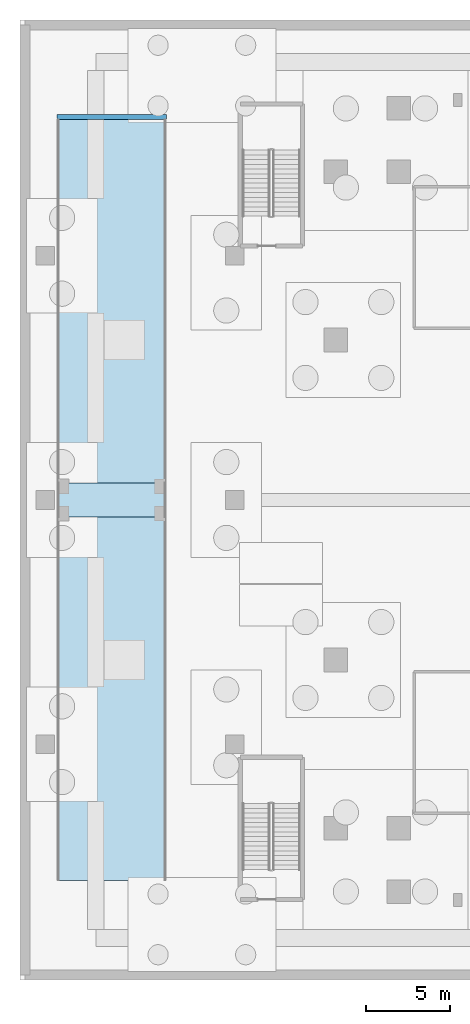
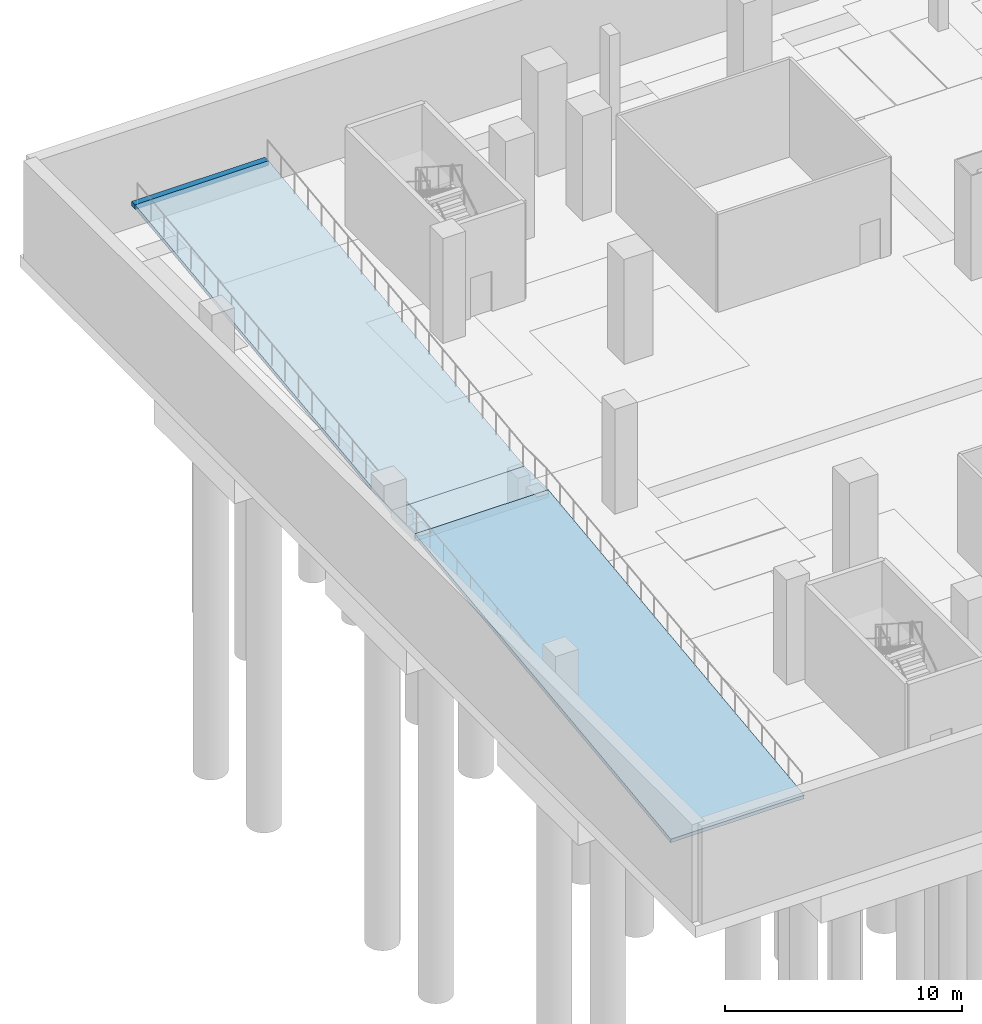
# One storey, part 8 of 16: 3 slabs, 1 ramp.
"""IFC4 building model written with IfcOpenShell, lengths in metres."""

from ifc_helpers import new_model, si_unit, direction, frame, origin, origin_2d, place, context, subcontext, project, spatial, polyline, rectangle, outline, extrude, material, layer, layer_set, type_object, element, aggregate, save


model = new_model("IFC4")

# Units and contexts
model_context = context("Model", 3, precision=1e-05, world=origin(), true_north=direction((0.0, 1.0)))
body_context = subcontext(model_context, "Body", "Model", "MODEL_VIEW")
ifc_project = project(units=[si_unit("LENGTHUNIT", "METRE"), si_unit("AREAUNIT", "SQUARE_METRE"), si_unit("VOLUMEUNIT", "CUBIC_METRE"), si_unit("PLANEANGLEUNIT", "RADIAN"), si_unit("MASSUNIT", "GRAM", prefix="KILO")], contexts=[model_context])

# Slab
ifc_material = material(Name="Concrete C40/50", Category="concrete")
ifc_layer_1 = layer(ifc_material, 0.300048828125, Name="Concrete C40/50")
ifc_layer_set_1 = layer_set([ifc_layer_1], Name="Concrete C40/50")
slab_type_1 = type_object("IfcSlabType", Name="SLB-RAMP-LAND", PredefinedType="LANDING", material=ifc_layer_set_1)
site_placement = place(None, origin())
building_placement = place(site_placement, origin())
storey_placement = place(building_placement, frame((0.0, 0.0, -10.800048828125)))
slab_1_placement = place(storey_placement, frame((0.0, 0.0, 2.3701171875)))
slab_1 = element("IfcSlab", 1, at=slab_1_placement, type_object=slab_type_1, Name="Car park vehicle ramp RM01 intermediate landing", PredefinedType="LANDING", context=body_context, shape_type="SweptSolid", body=[
    extrude(outline(polyline([(-39.800048828125, -1.0), (-33.300048828125, -1.0), (-33.300048828125, 1.0), (-39.800048828125, 1.0), (-39.800048828125, -1.0)])), origin(), (0.0, 0.0, 1.0), 0.39990234375),
])

ifc_layer_2 = layer(ifc_material, 0.199951171875, Name="Concrete C40/50")
ifc_layer_set_2 = layer_set([ifc_layer_2], Name="Concrete C40/50")
slab_type_2 = type_object("IfcSlabType", Name="SLB-VEH-RAMP", PredefinedType="FLOOR", material=ifc_layer_set_2)
slab_2_placement = place(storey_placement, frame((-39.800048828125, -22.60009765625, 0.14013671875), z_axis=(0.0, -0.120860767247, 0.992669469129), x_axis=(1.0, 0.0, 0.0)))
slab_2 = element("IfcSlab", 2, at=slab_2_placement, type_object=slab_type_2, Name="Car park vehicle ramp RM01 lower structural slab (1:8.2)", PredefinedType="FLOOR", context=body_context, shape_type="SweptSolid", body=[
    extrude(outline(polyline([(0.0, 0.0), (6.5, 0.0), (6.5, 21.75960712804851), (0.0, 21.75960712804851), (0.0, 0.0)])), origin(), (0.0, 0.0, -1.0), 0.199951171875),
])

slab_3_placement = place(storey_placement, frame((-39.800048828125, 1.0, 2.77001953125), z_axis=(0.0, -0.120871823233, 0.992668122964), x_axis=(1.0, 0.0, 0.0)))
slab_3 = element("IfcSlab", 3, at=slab_3_placement, type_object=slab_type_2, Name="Car park vehicle ramp RM01 upper structural slab arriving B1 (1:8.2)", PredefinedType="FLOOR", context=body_context, shape_type="SweptSolid", body=[
    extrude(outline(polyline([(0.0, 0.0), (6.5, 0.0), (6.5, 21.759636636421376), (0.0, 21.759636636421376), (0.0, 0.0)])), origin(), (0.0, 0.0, -1.0), 0.199951171875),
])

# Site, building, storey
site = spatial("IfcSite", under=ifc_project, at=site_placement, CompositionType="ELEMENT")
building = spatial("IfcBuilding", under=site, at=building_placement, Name="Trevonay Congress Spire", CompositionType="ELEMENT")
storey = spatial("IfcBuildingStorey", under=building, at=storey_placement, Name="B2", CompositionType="ELEMENT", Elevation=-10.800048828125)

# Ramp
ifc_layer_3 = layer(ifc_material, 0.199951171875, Name="Concrete C40/50")
ifc_layer_set_3 = layer_set([ifc_layer_3], Name="Concrete C40/50")
ramp_type = type_object("IfcRampType", Name="RMP-VEH-TWO-RUN", PredefinedType="TWO_STRAIGHT_RUN_RAMP", material=ifc_layer_set_3)
ramp_placement = place(storey_placement, frame((-36.550048828125, 22.75, 5.16015625), z_axis=(0.0, 0.0, 1.0), x_axis=(1.0, 0.0, 0.0)))
ramp = element("IfcRamp", 4, at=ramp_placement, inside=storey, type_object=ramp_type, Name="Basement car park two-way vehicle ramp RM01 (B2 to B1)", PredefinedType="TWO_STRAIGHT_RUN_RAMP", context=body_context, shape_type="SweptSolid", body=[
    extrude(rectangle(XDim=6.5, YDim=0.300048828125, at=origin_2d()), origin(), (0.0, 0.0, 1.0), 0.239990234375),
])

aggregate(ramp, [slab_2, slab_1, slab_3])

save(model, "model.ifc")
